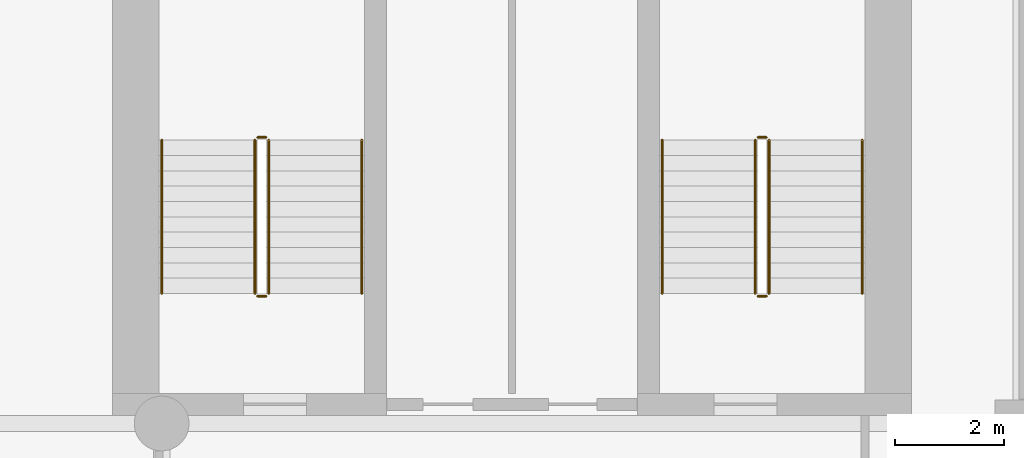
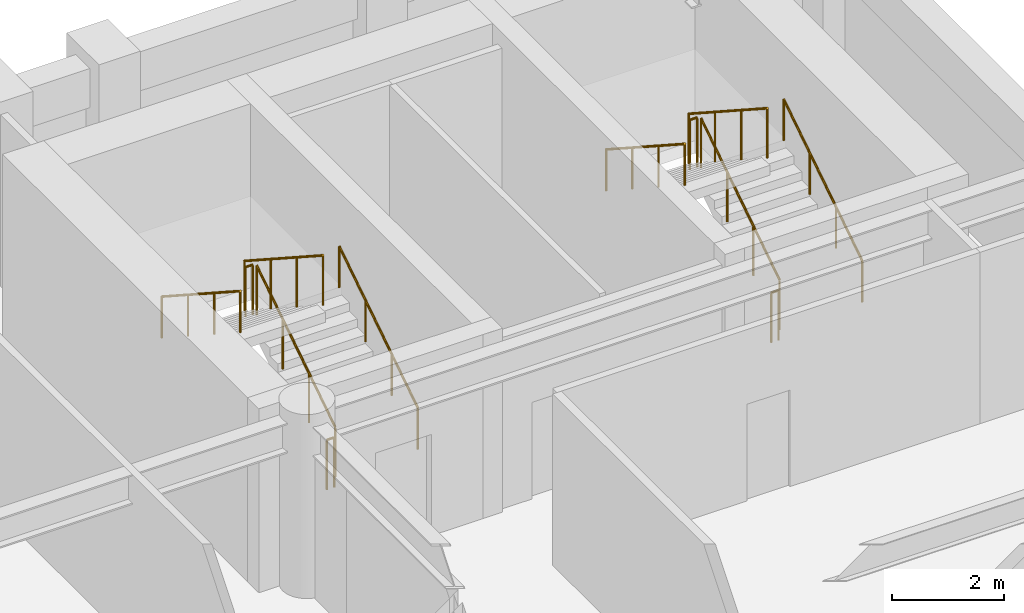
# One storey, part 8 of 8: 12 railings.
"""IFC4 building model written with IfcOpenShell, lengths in metres."""

from ifc_helpers import new_model, si_unit, direction, frame, origin, origin_2d, place, context, subcontext, project, spatial, circle, extrude, material, type_object, element, save


model = new_model("IFC4")

# Units and contexts
model_context = context("Model", 3, precision=1e-05, world=origin(), true_north=direction((0.0, 1.0)))
body_context = subcontext(model_context, "Body", "Model", "MODEL_VIEW")
ifc_project = project(units=[si_unit("LENGTHUNIT", "METRE"), si_unit("AREAUNIT", "SQUARE_METRE"), si_unit("VOLUMEUNIT", "CUBIC_METRE"), si_unit("PLANEANGLEUNIT", "RADIAN"), si_unit("MASSUNIT", "GRAM", prefix="KILO")], contexts=[model_context])

# Site, building, storey
site_placement = place(None, origin())
site = spatial("IfcSite", under=ifc_project, at=site_placement, CompositionType="ELEMENT")
building_placement = place(site_placement, origin())
building = spatial("IfcBuilding", under=site, at=building_placement, Name="Sulina Concourse Tower", CompositionType="ELEMENT")
storey_placement = place(building_placement, frame((0.0, 0.0, 128.60009765625)))
storey = spatial("IfcBuildingStorey", under=building, at=storey_placement, Name="L31", CompositionType="ELEMENT", Elevation=128.60009765625)

# Railings
ifc_material_1 = material(Name="Galvanised steel railing", Category="steel")
railing_type_1 = type_object("IfcRailingType", Name="Core Stair Steel Guardrail 1150mm", PredefinedType="GUARDRAIL", material=ifc_material_1)
railing_1_placement = place(storey_placement, frame((43.554931640625, 36.375, 0.181640625)))
element("IfcRailing", 1, at=railing_1_placement, inside=storey, type_object=railing_type_1, Name="L31 ST-3 stair guard 1", PredefinedType="GUARDRAIL", context=body_context, shape_type="SweptSolid", body=[
    extrude(circle(Radius=0.02392578125, at=origin_2d()), frame((0.0, 0.0, 1.076171875), z_axis=(0.0, 0.838672427954, 0.544636170843), x_axis=(-1.0, 0.0, 0.0)), (0.0, 0.0, 1.0), 3.338623046875),
    extrude(circle(Radius=0.02099609375, at=origin_2d()), origin(), (0.0, 0.0, 1.0), 1.052001953125),
    extrude(circle(Radius=0.02099609375, at=origin_2d()), frame((0.0, 0.933349609375, 0.606201171875)), (0.0, 0.0, 1.0), 1.052001953125),
    extrude(circle(Radius=0.02099609375, at=origin_2d()), frame((0.0, 1.86669921875, 1.212158203125)), (0.0, 0.0, 1.0), 1.052001953125),
    extrude(circle(Radius=0.02099609375, at=origin_2d()), frame((0.0, 2.800048828125, 1.818359375)), (0.0, 0.0, 1.0), 1.052001953125),
])
railing_2_placement = place(storey_placement, frame((43.5048828125, 39.22509765625, 2.0)))
element("IfcRailing", 2, at=railing_2_placement, inside=storey, type_object=railing_type_1, Name="L31 ST-3 stair guard 2", PredefinedType="GUARDRAIL", context=body_context, shape_type="SweptSolid", body=[
    extrude(circle(Radius=0.02392578125, at=origin_2d()), frame((0.0, 0.0, 1.076171875), z_axis=(-1.0, 0.0, 0.0), x_axis=(0.0, -1.0, 0.0)), (0.0, 0.0, 1.0), 0.14990234375),
    extrude(circle(Radius=0.02099609375, at=origin_2d()), origin(), (0.0, 0.0, 1.0), 1.052001953125),
    extrude(circle(Radius=0.02099609375, at=origin_2d()), frame((-0.14990234375, 0.0, 0.0)), (0.0, 0.0, 1.0), 1.052001953125),
])
railing_3_placement = place(storey_placement, frame((43.304931640625, 39.175048828125, 2.181640625)))
element("IfcRailing", 3, at=railing_3_placement, inside=storey, type_object=railing_type_1, Name="L31 ST-3 stair guard 3", PredefinedType="GUARDRAIL", context=body_context, shape_type="SweptSolid", body=[
    extrude(circle(Radius=0.02392578125, at=origin_2d()), frame((0.0, 0.0, 1.076171875), z_axis=(0.0, -0.838672427954, 0.544636170843), x_axis=(1.0, 0.0, 0.0)), (0.0, 0.0, 1.0), 3.338623046875),
    extrude(circle(Radius=0.02099609375, at=origin_2d()), origin(), (0.0, 0.0, 1.0), 1.052001953125),
    extrude(circle(Radius=0.02099609375, at=origin_2d()), frame((0.0, -0.933349609375, 0.606201171875)), (0.0, 0.0, 1.0), 1.052001953125),
    extrude(circle(Radius=0.02099609375, at=origin_2d()), frame((0.0, -1.86669921875, 1.212158203125)), (0.0, 0.0, 1.0), 1.052001953125),
    extrude(circle(Radius=0.02099609375, at=origin_2d()), frame((0.0, -2.800048828125, 1.818359375)), (0.0, 0.0, 1.0), 1.052001953125),
])
railing_4_placement = place(storey_placement, frame((43.5048828125, 36.324951171875, 0.0)))
element("IfcRailing", 4, at=railing_4_placement, inside=storey, type_object=railing_type_1, Name="L31 ST-3 stair guard 4", PredefinedType="GUARDRAIL", context=body_context, shape_type="SweptSolid", body=[
    extrude(circle(Radius=0.02392578125, at=origin_2d()), frame((0.0, 0.0, 1.076171875), z_axis=(-1.0, 0.0, 0.0), x_axis=(0.0, -1.0, 0.0)), (0.0, 0.0, 1.0), 0.14990234375),
    extrude(circle(Radius=0.02099609375, at=origin_2d()), origin(), (0.0, 0.0, 1.0), 1.052001953125),
    extrude(circle(Radius=0.02099609375, at=origin_2d()), frame((-0.14990234375, 0.0, 0.0)), (0.0, 0.0, 1.0), 1.052001953125),
])
railing_5_placement = place(storey_placement, frame((52.695068359375, 36.375, 0.181640625)))
element("IfcRailing", 5, at=railing_5_placement, inside=storey, type_object=railing_type_1, Name="L31 ST-4 stair guard 1", PredefinedType="GUARDRAIL", context=body_context, shape_type="SweptSolid", body=[
    extrude(circle(Radius=0.02392578125, at=origin_2d()), frame((0.0, 0.0, 1.076171875), z_axis=(0.0, 0.838672427954, 0.544636170843), x_axis=(-1.0, 0.0, 0.0)), (0.0, 0.0, 1.0), 3.338623046875),
    extrude(circle(Radius=0.02099609375, at=origin_2d()), origin(), (0.0, 0.0, 1.0), 1.052001953125),
    extrude(circle(Radius=0.02099609375, at=origin_2d()), frame((0.0, 0.933349609375, 0.606201171875)), (0.0, 0.0, 1.0), 1.052001953125),
    extrude(circle(Radius=0.02099609375, at=origin_2d()), frame((0.0, 1.86669921875, 1.212158203125)), (0.0, 0.0, 1.0), 1.052001953125),
    extrude(circle(Radius=0.02099609375, at=origin_2d()), frame((0.0, 2.800048828125, 1.818359375)), (0.0, 0.0, 1.0), 1.052001953125),
])
railing_6_placement = place(storey_placement, frame((52.64501953125, 39.22509765625, 2.0)))
element("IfcRailing", 6, at=railing_6_placement, inside=storey, type_object=railing_type_1, Name="L31 ST-4 stair guard 2", PredefinedType="GUARDRAIL", context=body_context, shape_type="SweptSolid", body=[
    extrude(circle(Radius=0.02392578125, at=origin_2d()), frame((0.0, 0.0, 1.076171875), z_axis=(-1.0, 0.0, 0.0), x_axis=(0.0, -1.0, 0.0)), (0.0, 0.0, 1.0), 0.14990234375),
    extrude(circle(Radius=0.02099609375, at=origin_2d()), origin(), (0.0, 0.0, 1.0), 1.052001953125),
    extrude(circle(Radius=0.02099609375, at=origin_2d()), frame((-0.14990234375, 0.0, 0.0)), (0.0, 0.0, 1.0), 1.052001953125),
])
railing_7_placement = place(storey_placement, frame((52.445068359375, 39.175048828125, 2.181640625)))
element("IfcRailing", 7, at=railing_7_placement, inside=storey, type_object=railing_type_1, Name="L31 ST-4 stair guard 3", PredefinedType="GUARDRAIL", context=body_context, shape_type="SweptSolid", body=[
    extrude(circle(Radius=0.02392578125, at=origin_2d()), frame((0.0, 0.0, 1.076171875), z_axis=(0.0, -0.838672427954, 0.544636170843), x_axis=(1.0, 0.0, 0.0)), (0.0, 0.0, 1.0), 3.338623046875),
    extrude(circle(Radius=0.02099609375, at=origin_2d()), origin(), (0.0, 0.0, 1.0), 1.052001953125),
    extrude(circle(Radius=0.02099609375, at=origin_2d()), frame((0.0, -0.933349609375, 0.606201171875)), (0.0, 0.0, 1.0), 1.052001953125),
    extrude(circle(Radius=0.02099609375, at=origin_2d()), frame((0.0, -1.86669921875, 1.212158203125)), (0.0, 0.0, 1.0), 1.052001953125),
    extrude(circle(Radius=0.02099609375, at=origin_2d()), frame((0.0, -2.800048828125, 1.818359375)), (0.0, 0.0, 1.0), 1.052001953125),
])
railing_8_placement = place(storey_placement, frame((52.64501953125, 36.324951171875, 0.0)))
element("IfcRailing", 8, at=railing_8_placement, inside=storey, type_object=railing_type_1, Name="L31 ST-4 stair guard 4", PredefinedType="GUARDRAIL", context=body_context, shape_type="SweptSolid", body=[
    extrude(circle(Radius=0.02392578125, at=origin_2d()), frame((0.0, 0.0, 1.076171875), z_axis=(-1.0, 0.0, 0.0), x_axis=(0.0, -1.0, 0.0)), (0.0, 0.0, 1.0), 0.14990234375),
    extrude(circle(Radius=0.02099609375, at=origin_2d()), origin(), (0.0, 0.0, 1.0), 1.052001953125),
    extrude(circle(Radius=0.02099609375, at=origin_2d()), frame((-0.14990234375, 0.0, 0.0)), (0.0, 0.0, 1.0), 1.052001953125),
])
ifc_material_2 = material(Name="Galvanised steel railing", Category="steel")
railing_type_2 = type_object("IfcRailingType", Name="Stair Wall Steel Handrail 920mm", PredefinedType="HANDRAIL", material=ifc_material_2)
railing_9_placement = place(storey_placement, frame((45.2548828125, 36.375, 0.181640625)))
element("IfcRailing", 9, at=railing_9_placement, inside=storey, type_object=railing_type_2, Name="L31 ST-3 stair handrail 1", PredefinedType="HANDRAIL", context=body_context, shape_type="SweptSolid", body=[
    extrude(circle(Radius=0.02392578125, at=origin_2d()), frame((0.0, 0.0, 0.89599609375), z_axis=(0.0, 0.838672427954, 0.544636170843), x_axis=(-1.0, 0.0, 0.0)), (0.0, 0.0, 1.0), 3.338623046875),
    extrude(circle(Radius=0.02099609375, at=origin_2d()), origin(), (0.0, 0.0, 1.0), 0.871826171875),
    extrude(circle(Radius=0.02099609375, at=origin_2d()), frame((0.0, 0.933349609375, 0.606201171875)), (0.0, 0.0, 1.0), 0.871826171875),
    extrude(circle(Radius=0.02099609375, at=origin_2d()), frame((0.0, 1.86669921875, 1.212158203125)), (0.0, 0.0, 1.0), 0.871826171875),
    extrude(circle(Radius=0.02099609375, at=origin_2d()), frame((0.0, 2.800048828125, 1.818359375)), (0.0, 0.0, 1.0), 0.871826171875),
])
railing_10_placement = place(storey_placement, frame((41.60498046875, 39.175048828125, 2.181640625)))
element("IfcRailing", 10, at=railing_10_placement, inside=storey, type_object=railing_type_2, Name="L31 ST-3 stair handrail 2", PredefinedType="HANDRAIL", context=body_context, shape_type="SweptSolid", body=[
    extrude(circle(Radius=0.02392578125, at=origin_2d()), frame((0.0, 0.0, 0.89599609375), z_axis=(0.0, -0.838672427954, 0.544636170843), x_axis=(1.0, 0.0, 0.0)), (0.0, 0.0, 1.0), 3.338623046875),
    extrude(circle(Radius=0.02099609375, at=origin_2d()), origin(), (0.0, 0.0, 1.0), 0.871826171875),
    extrude(circle(Radius=0.02099609375, at=origin_2d()), frame((0.0, -0.933349609375, 0.606201171875)), (0.0, 0.0, 1.0), 0.871826171875),
    extrude(circle(Radius=0.02099609375, at=origin_2d()), frame((0.0, -1.86669921875, 1.212158203125)), (0.0, 0.0, 1.0), 0.871826171875),
    extrude(circle(Radius=0.02099609375, at=origin_2d()), frame((0.0, -2.800048828125, 1.818359375)), (0.0, 0.0, 1.0), 0.871826171875),
])
railing_11_placement = place(storey_placement, frame((54.39501953125, 36.375, 0.181640625)))
element("IfcRailing", 11, at=railing_11_placement, inside=storey, type_object=railing_type_2, Name="L31 ST-4 stair handrail 1", PredefinedType="HANDRAIL", context=body_context, shape_type="SweptSolid", body=[
    extrude(circle(Radius=0.02392578125, at=origin_2d()), frame((0.0, 0.0, 0.89599609375), z_axis=(0.0, 0.838672427954, 0.544636170843), x_axis=(-1.0, 0.0, 0.0)), (0.0, 0.0, 1.0), 3.338623046875),
    extrude(circle(Radius=0.02099609375, at=origin_2d()), origin(), (0.0, 0.0, 1.0), 0.871826171875),
    extrude(circle(Radius=0.02099609375, at=origin_2d()), frame((0.0, 0.933349609375, 0.606201171875)), (0.0, 0.0, 1.0), 0.871826171875),
    extrude(circle(Radius=0.02099609375, at=origin_2d()), frame((0.0, 1.86669921875, 1.212158203125)), (0.0, 0.0, 1.0), 0.871826171875),
    extrude(circle(Radius=0.02099609375, at=origin_2d()), frame((0.0, 2.800048828125, 1.818359375)), (0.0, 0.0, 1.0), 0.871826171875),
])
railing_12_placement = place(storey_placement, frame((50.7451171875, 39.175048828125, 2.181640625)))
element("IfcRailing", 12, at=railing_12_placement, inside=storey, type_object=railing_type_2, Name="L31 ST-4 stair handrail 2", PredefinedType="HANDRAIL", context=body_context, shape_type="SweptSolid", body=[
    extrude(circle(Radius=0.02392578125, at=origin_2d()), frame((0.0, 0.0, 0.89599609375), z_axis=(0.0, -0.838672427954, 0.544636170843), x_axis=(1.0, 0.0, 0.0)), (0.0, 0.0, 1.0), 3.338623046875),
    extrude(circle(Radius=0.02099609375, at=origin_2d()), origin(), (0.0, 0.0, 1.0), 0.871826171875),
    extrude(circle(Radius=0.02099609375, at=origin_2d()), frame((0.0, -0.933349609375, 0.606201171875)), (0.0, 0.0, 1.0), 0.871826171875),
    extrude(circle(Radius=0.02099609375, at=origin_2d()), frame((0.0, -1.86669921875, 1.212158203125)), (0.0, 0.0, 1.0), 0.871826171875),
    extrude(circle(Radius=0.02099609375, at=origin_2d()), frame((0.0, -2.800048828125, 1.818359375)), (0.0, 0.0, 1.0), 0.871826171875),
])

save(model, "model.ifc")
